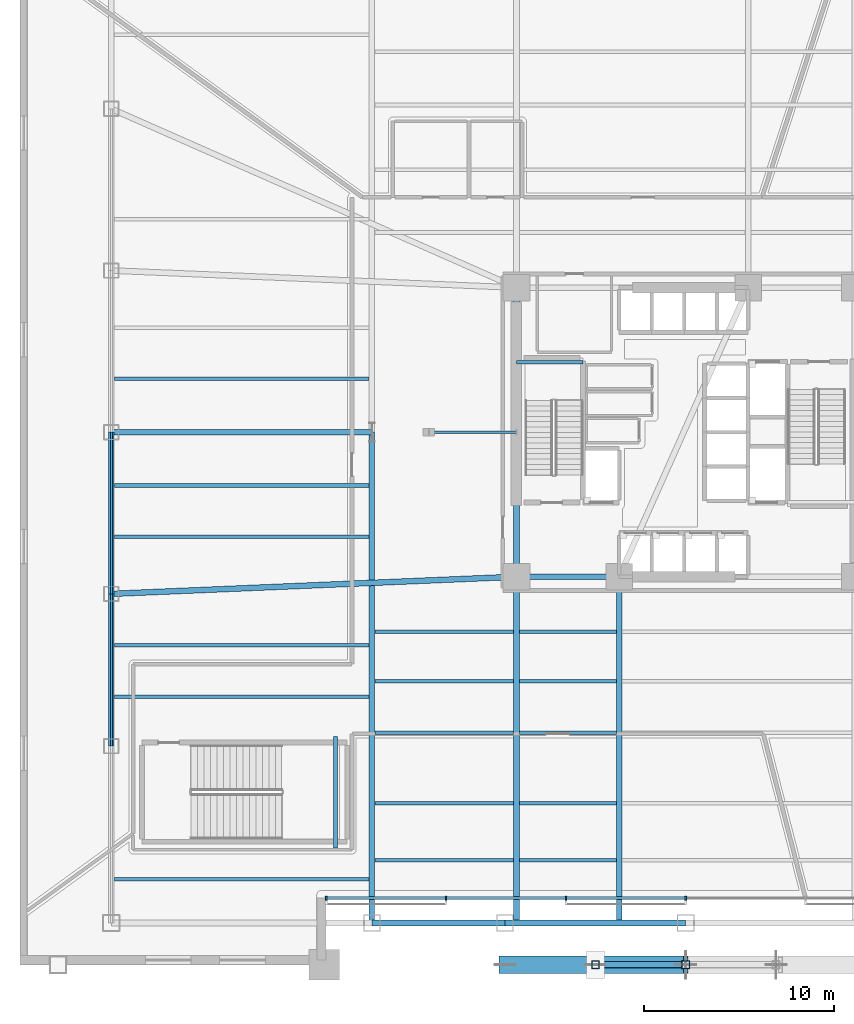
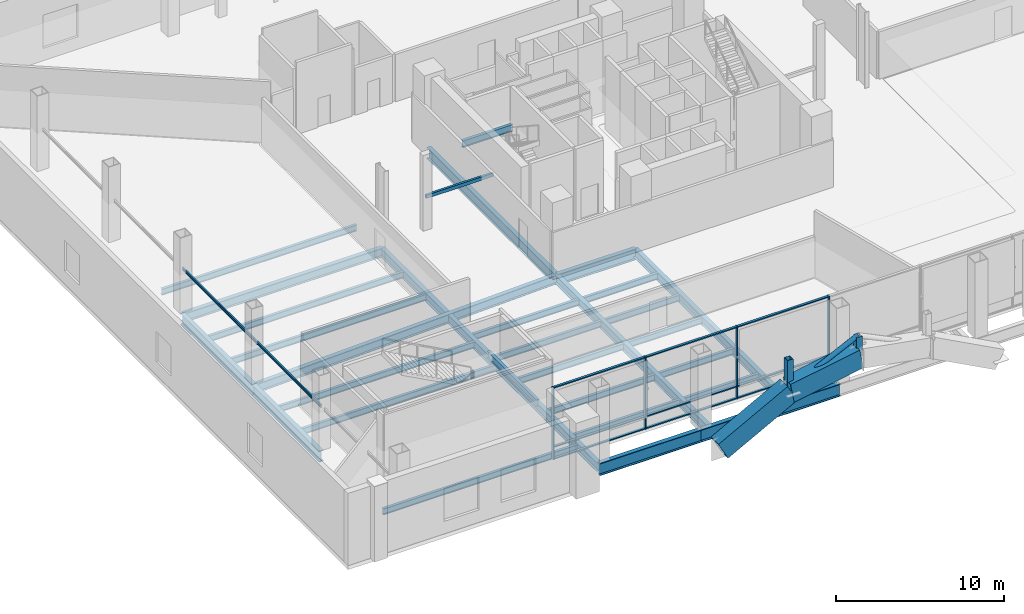
# One storey, part 3 of 19: 32 beams, 18 members, 1 element without a shape of its own.
"""IFC4 building model written with IfcOpenShell, lengths in metres."""

from ifc_helpers import new_model, si_unit, direction, frame, origin, origin_2d, place, context, subcontext, project, spatial, rectangle, hollow_rectangle, hollow_circle, i_section, extrude, material, layer, layer_set, material_profile, profile_set, type_object, element, aggregate, save


model = new_model("IFC4")

# Units and contexts
model_context = context("Model", 3, precision=1e-05, world=origin(), true_north=direction((0.0, 1.0)))
body_context = subcontext(model_context, "Body", "Model", "MODEL_VIEW")
ifc_project = project(units=[si_unit("LENGTHUNIT", "METRE"), si_unit("AREAUNIT", "SQUARE_METRE"), si_unit("VOLUMEUNIT", "CUBIC_METRE"), si_unit("PLANEANGLEUNIT", "RADIAN"), si_unit("MASSUNIT", "GRAM", prefix="KILO")], contexts=[model_context])

# Site, building, storey
site_placement = place(None, origin())
site = spatial("IfcSite", under=ifc_project, at=site_placement, CompositionType="ELEMENT")
building_placement = place(site_placement, origin())
building = spatial("IfcBuilding", under=site, at=building_placement, Name="Tharavind Bronze Gate", CompositionType="ELEMENT")
storey_placement = place(building_placement, frame((0.0, 0.0, 11.0)))
storey = spatial("IfcBuildingStorey", under=building, at=storey_placement, Name="L02", CompositionType="ELEMENT", Elevation=11.0)

# Beams
ifc_material_1 = material(Name="Steel S460", Category="steel")
ifc_material_profile_1 = material_profile(ifc_material_1, hollow_rectangle(XDim=0.89990234375, YDim=1.39990234375, WallThickness=0.054931640625, at=origin_2d()), Name="RHS1400X900X55")
ifc_profile_set_1 = profile_set([ifc_material_profile_1], Name="Steel S460")
beam_type_1 = type_object("IfcBeamType", Name="ARCH RIB GIRDER 1400X900", PredefinedType="USERDEFINED", material=ifc_profile_set_1)
beam_1_placement = place(storey_placement, frame((-9.5, -28.0, -0.33740234375), z_axis=(0.881797792408, 0.0, 0.471627663846), x_axis=(0.0, 1.0, 0.0)))
element("IfcBeam", 1, at=beam_1_placement, inside=storey, type_object=beam_type_1, Name="Monumental bronze arch rib chord 3", ObjectType="GIRDER", PredefinedType="USERDEFINED", context=body_context, shape_type="SweptSolid", body=[
    extrude(hollow_rectangle(XDim=0.89990234375, YDim=1.39990234375, WallThickness=0.054931640625, at=origin_2d()), origin(), (0.0, 0.0, 1.0), 5.38671875),
])
beam_2_placement = place(storey_placement, frame((-4.75, -28.0, 2.203125), z_axis=(0.984473825699, 0.0, 0.175531440242), x_axis=(0.0, 1.0, 0.0)))
element("IfcBeam", 2, at=beam_2_placement, inside=storey, type_object=beam_type_1, Name="Monumental bronze arch rib chord 4", ObjectType="GIRDER", PredefinedType="USERDEFINED", context=body_context, shape_type="SweptSolid", body=[
    extrude(hollow_rectangle(XDim=0.89990234375, YDim=1.39990234375, WallThickness=0.054931640625, at=origin_2d()), origin(), (0.0, 0.0, 1.0), 4.824951171875),
])

# Curtain wall, members
ifc_material_2 = material(Name="Anodised Bronze Aluminium", Category="aluminium")
ifc_layer = layer(ifc_material_2, 0.219970703125)
ifc_layer_set = layer_set([ifc_layer], Name="Anodised Bronze Aluminium")
curtain_wall_type = type_object("IfcCurtainWallType", Name="UNITISED CURTAIN WALL PODIUM", PredefinedType="USERDEFINED", material=ifc_layer_set)
curtain_wall_placement = place(storey_placement, origin())
curtain_wall = element("IfcCurtainWall", 3, at=curtain_wall_placement, inside=storey, type_object=curtain_wall_type, Name="L02 unitised curtain wall podium CW-L02-ARCH", ObjectType="UNITISED CURTAIN WALL", PredefinedType="USERDEFINED")
member_type_1 = type_object("IfcMemberType", Name="CURTAIN WALL MULLION 80X220", PredefinedType="MULLION", material=ifc_material_2)
member_1_placement = place(storey_placement, frame((-18.89990234375, -24.5, 0.0), z_axis=(0.0, 0.0, 1.0), x_axis=(1.0, 0.0, 0.0)))
member_1 = element("IfcMember", 4, at=member_1_placement, type_object=member_type_1, Name="CW-L02-ARCH mullion 1", PredefinedType="MULLION", context=body_context, shape_type="SweptSolid", body=[
    extrude(rectangle(XDim=0.080078125, YDim=0.219970703125, at=origin_2d()), origin(), (0.0, 0.0, 1.0), 5.239990234375),
])
member_2_placement = place(storey_placement, frame((-12.60009765625, -24.5, 0.0), z_axis=(0.0, 0.0, 1.0), x_axis=(1.0, 0.0, 0.0)))
member_2 = element("IfcMember", 5, at=member_2_placement, type_object=member_type_1, Name="CW-L02-ARCH mullion 2", PredefinedType="MULLION", context=body_context, shape_type="SweptSolid", body=[
    extrude(rectangle(XDim=0.080078125, YDim=0.219970703125, at=origin_2d()), origin(), (0.0, 0.0, 1.0), 5.239990234375),
])
member_3_placement = place(storey_placement, frame((-6.300048828125, -24.5, 0.0), z_axis=(0.0, 0.0, 1.0), x_axis=(1.0, 0.0, 0.0)))
member_3 = element("IfcMember", 6, at=member_3_placement, type_object=member_type_1, Name="CW-L02-ARCH mullion 3", PredefinedType="MULLION", context=body_context, shape_type="SweptSolid", body=[
    extrude(rectangle(XDim=0.080078125, YDim=0.219970703125, at=origin_2d()), origin(), (0.0, 0.0, 1.0), 5.239990234375),
])
member_4_placement = place(storey_placement, frame((0.0, -24.5, 0.0), z_axis=(0.0, 0.0, 1.0), x_axis=(1.0, 0.0, 0.0)))
member_4 = element("IfcMember", 7, at=member_4_placement, type_object=member_type_1, Name="CW-L02-ARCH mullion 4", PredefinedType="MULLION", context=body_context, shape_type="SweptSolid", body=[
    extrude(rectangle(XDim=0.080078125, YDim=0.219970703125, at=origin_2d()), origin(), (0.0, 0.0, 1.0), 5.239990234375),
])
member_type_2 = type_object("IfcMemberType", Name="CURTAIN WALL TRANSOM 80X160", PredefinedType="USERDEFINED", material=ifc_material_2)
member_5_placement = place(storey_placement, frame((-15.75, -24.5, 0.0), z_axis=(0.0, 0.0, 1.0), x_axis=(1.0, 0.0, 0.0)))
member_5 = element("IfcMember", 8, at=member_5_placement, type_object=member_type_2, Name="CW-L02-ARCH transom TB1", ObjectType="TRANSOM", PredefinedType="USERDEFINED", context=body_context, shape_type="SweptSolid", body=[
    extrude(rectangle(XDim=6.23193359375, YDim=0.159912109375, at=origin_2d()), origin(), (0.0, 0.0, 1.0), 0.080078125),
])
member_6_placement = place(storey_placement, frame((-15.75, -24.5, 0.85986328125), z_axis=(0.0, 0.0, 1.0), x_axis=(1.0, 0.0, 0.0)))
member_6 = element("IfcMember", 9, at=member_6_placement, type_object=member_type_2, Name="CW-L02-ARCH transom TS1", ObjectType="TRANSOM", PredefinedType="USERDEFINED", context=body_context, shape_type="SweptSolid", body=[
    extrude(rectangle(XDim=6.23193359375, YDim=0.159912109375, at=origin_2d()), origin(), (0.0, 0.0, 1.0), 0.080078125),
])
member_7_placement = place(storey_placement, frame((-15.75, -24.5, 5.159912109375), z_axis=(0.0, 0.0, 1.0), x_axis=(1.0, 0.0, 0.0)))
member_7 = element("IfcMember", 10, at=member_7_placement, type_object=member_type_2, Name="CW-L02-ARCH transom TT1", ObjectType="TRANSOM", PredefinedType="USERDEFINED", context=body_context, shape_type="SweptSolid", body=[
    extrude(rectangle(XDim=6.23193359375, YDim=0.159912109375, at=origin_2d()), origin(), (0.0, 0.0, 1.0), 0.080078125),
])
member_8_placement = place(storey_placement, frame((-9.449951171875, -24.5, 0.0), z_axis=(0.0, 0.0, 1.0), x_axis=(1.0, 0.0, 0.0)))
member_8 = element("IfcMember", 11, at=member_8_placement, type_object=member_type_2, Name="CW-L02-ARCH transom TB2", ObjectType="TRANSOM", PredefinedType="USERDEFINED", context=body_context, shape_type="SweptSolid", body=[
    extrude(rectangle(XDim=6.23193359375, YDim=0.159912109375, at=origin_2d()), origin(), (0.0, 0.0, 1.0), 0.080078125),
])
member_9_placement = place(storey_placement, frame((-9.449951171875, -24.5, 0.85986328125), z_axis=(0.0, 0.0, 1.0), x_axis=(1.0, 0.0, 0.0)))
member_9 = element("IfcMember", 12, at=member_9_placement, type_object=member_type_2, Name="CW-L02-ARCH transom TS2", ObjectType="TRANSOM", PredefinedType="USERDEFINED", context=body_context, shape_type="SweptSolid", body=[
    extrude(rectangle(XDim=6.23193359375, YDim=0.159912109375, at=origin_2d()), origin(), (0.0, 0.0, 1.0), 0.080078125),
])
member_10_placement = place(storey_placement, frame((-9.449951171875, -24.5, 5.159912109375), z_axis=(0.0, 0.0, 1.0), x_axis=(1.0, 0.0, 0.0)))
member_10 = element("IfcMember", 13, at=member_10_placement, type_object=member_type_2, Name="CW-L02-ARCH transom TT2", ObjectType="TRANSOM", PredefinedType="USERDEFINED", context=body_context, shape_type="SweptSolid", body=[
    extrude(rectangle(XDim=6.23193359375, YDim=0.159912109375, at=origin_2d()), origin(), (0.0, 0.0, 1.0), 0.080078125),
])
member_11_placement = place(storey_placement, frame((-3.14990234375, -24.5, 0.0), z_axis=(0.0, 0.0, 1.0), x_axis=(1.0, 0.0, 0.0)))
member_11 = element("IfcMember", 14, at=member_11_placement, type_object=member_type_2, Name="CW-L02-ARCH transom TB3", ObjectType="TRANSOM", PredefinedType="USERDEFINED", context=body_context, shape_type="SweptSolid", body=[
    extrude(rectangle(XDim=6.23193359375, YDim=0.159912109375, at=origin_2d()), origin(), (0.0, 0.0, 1.0), 0.080078125),
])
member_12_placement = place(storey_placement, frame((-3.14990234375, -24.5, 0.85986328125), z_axis=(0.0, 0.0, 1.0), x_axis=(1.0, 0.0, 0.0)))
member_12 = element("IfcMember", 15, at=member_12_placement, type_object=member_type_2, Name="CW-L02-ARCH transom TS3", ObjectType="TRANSOM", PredefinedType="USERDEFINED", context=body_context, shape_type="SweptSolid", body=[
    extrude(rectangle(XDim=6.23193359375, YDim=0.159912109375, at=origin_2d()), origin(), (0.0, 0.0, 1.0), 0.080078125),
])
member_13_placement = place(storey_placement, frame((-3.14990234375, -24.5, 5.159912109375), z_axis=(0.0, 0.0, 1.0), x_axis=(1.0, 0.0, 0.0)))
member_13 = element("IfcMember", 16, at=member_13_placement, type_object=member_type_2, Name="CW-L02-ARCH transom TT3", ObjectType="TRANSOM", PredefinedType="USERDEFINED", context=body_context, shape_type="SweptSolid", body=[
    extrude(rectangle(XDim=6.23193359375, YDim=0.159912109375, at=origin_2d()), origin(), (0.0, 0.0, 1.0), 0.080078125),
])
aggregate(curtain_wall, [member_1, member_2, member_3, member_4, member_5, member_6, member_7, member_8, member_9, member_10, member_11, member_12, member_13])

# Beam
ifc_material_3 = material(Name="Steel S355", Category="steel")
ifc_material_profile_2 = material_profile(ifc_material_3, hollow_rectangle(XDim=0.14990234375, YDim=0.25, WallThickness=0.011962890625, at=origin_2d()), Name="RHS250X150X12")
ifc_profile_set_2 = profile_set([ifc_material_profile_2], Name="Steel S355")
beam_type_2 = type_object("IfcBeamType", Name="OPENING LINTEL BEAM RHS250", PredefinedType="LINTEL", material=ifc_profile_set_2)
beam_3_placement = place(storey_placement, frame((-13.5, 0.0, 2.324951171875), z_axis=(1.0, 0.0, 0.0), x_axis=(0.0, 1.0, 0.0)))
element("IfcBeam", 17, at=beam_3_placement, inside=storey, type_object=beam_type_2, Name="L02 opening lintel beam rhs250 BM-L02-LNT1", PredefinedType="LINTEL", context=body_context, shape_type="SweptSolid", body=[
    extrude(hollow_rectangle(XDim=0.14990234375, YDim=0.25, WallThickness=0.011962890625, at=origin_2d()), origin(), (0.0, 0.0, 1.0), 4.60009765625),
])

# Members
ifc_material_profile_3 = material_profile(ifc_material_1, hollow_rectangle(XDim=0.39990234375, YDim=0.39990234375, WallThickness=0.02490234375, at=origin_2d()), Name="SHS400X25")
ifc_profile_set_3 = profile_set([ifc_material_profile_3], Name="Steel S460")
member_type_3 = type_object("IfcMemberType", Name="OUTRIGGER VERTICAL STRUT SHS400", PredefinedType="STRUT", material=ifc_profile_set_3)
member_14_placement = place(storey_placement, frame((-4.75, -28.0, 2.203125), z_axis=(0.0, 0.0, 1.0), x_axis=(1.0, 0.0, 0.0)))
element("IfcMember", 18, at=member_14_placement, inside=storey, type_object=member_type_3, Name="Monumental arch spandrel vertical strut 3", PredefinedType="STRUT", context=body_context, shape_type="SweptSolid", body=[
    extrude(hollow_rectangle(XDim=0.39990234375, YDim=0.39990234375, WallThickness=0.02490234375, at=origin_2d()), origin(), (0.0, 0.0, 1.0), 2.286865234375),
])
member_15_placement = place(storey_placement, frame((0.0, -28.0, 3.050048828125), z_axis=(0.0, 0.0, 1.0), x_axis=(1.0, 0.0, 0.0)))
element("IfcMember", 19, at=member_15_placement, inside=storey, type_object=member_type_3, Name="Monumental arch spandrel vertical strut 4", PredefinedType="STRUT", context=body_context, shape_type="SweptSolid", body=[
    extrude(hollow_rectangle(XDim=0.39990234375, YDim=0.39990234375, WallThickness=0.02490234375, at=origin_2d()), origin(), (0.0, 0.0, 1.0), 1.43994140625),
])
ifc_material_profile_4 = material_profile(ifc_material_1, hollow_circle(Radius=0.161865234375, WallThickness=0.01611328125, at=origin_2d()), Name="CHS323X16")
ifc_profile_set_4 = profile_set([ifc_material_profile_4], Name="Steel S460")
member_type_4 = type_object("IfcMemberType", Name="PODIUM ARCH BRACE CHS323", PredefinedType="BRACE", material=ifc_profile_set_4)
member_16_placement = place(storey_placement, frame((-4.75, -28.0, 2.203125), z_axis=(0.901014407299, 0.0, 0.433789162889), x_axis=(0.0, 1.0, 0.0)))
element("IfcMember", 20, at=member_16_placement, inside=storey, type_object=member_type_4, Name="Monumental arch spandrel truss diagonal 4", PredefinedType="BRACE", context=body_context, shape_type="SweptSolid", body=[
    extrude(hollow_circle(Radius=0.161865234375, WallThickness=0.01611328125, at=origin_2d()), origin(), (0.0, 0.0, 1.0), 5.271728515625),
])

# Beams
ifc_material_profile_5 = material_profile(ifc_material_3, i_section(OverallWidth=0.300048828125, OverallDepth=0.64990234375, WebThickness=0.01611328125, FlangeThickness=0.031005859375, at=origin_2d()), Name="HE650B")
ifc_profile_set_5 = profile_set([ifc_material_profile_5], Name="Steel S355")
beam_type_3 = type_object("IfcBeamType", Name="PRIMARY GIRDER HE650B", PredefinedType="USERDEFINED", material=ifc_profile_set_5)
beam_4_placement = place(storey_placement, frame((-16.5, -25.800048828125, -0.60498046875), z_axis=(0.0, 1.0, 0.0), x_axis=(-1.0, 0.0, 0.0)))
element("IfcBeam", 21, at=beam_4_placement, inside=storey, type_object=beam_type_3, Name="L02 primary girder he650b BM-L02-GS1S", ObjectType="GIRDER", PredefinedType="USERDEFINED", context=body_context, shape_type="SweptSolid", body=[
    extrude(i_section(OverallWidth=0.300048828125, OverallDepth=0.64990234375, WebThickness=0.01611328125, FlangeThickness=0.031005859375, at=origin_2d()), origin(), (0.0, 0.0, 1.0), 25.800048828125),
])
for number, where, z_axis, x_axis, name in (
    (22, (-8.89990234375, -25.800048828125, -0.60498046875), (0.0, 1.0, 0.0), (-1.0, 0.0, 0.0), "L02 primary girder he650b BM-L02-GS2"),
    (23, (-3.5, -25.800048828125, -0.60498046875), (0.0, 1.0, 0.0), (-1.0, 0.0, 0.0), "L02 primary girder he650b BM-L02-GS3"),
):
    element("IfcBeam", number, at=place(storey_placement, frame(where, z_axis=z_axis, x_axis=x_axis)), inside=storey, type_object=beam_type_3, Name=name, ObjectType="GIRDER", PredefinedType="USERDEFINED", context=body_context, shape_type="SweptSolid", body=[
        extrude(i_section(OverallWidth=0.300048828125, OverallDepth=0.64990234375, WebThickness=0.01611328125, FlangeThickness=0.031005859375, at=origin_2d()), origin(), (0.0, 0.0, 1.0), 18.199951171875),
    ])
beam_5_placement = place(storey_placement, frame((-30.199951171875, -8.5, -0.60498046875), z_axis=(0.999108710794, 0.04221118354, 0.0), x_axis=(-0.04221118354, 0.999108710794, 0.0)))
element("IfcBeam", 24, at=beam_5_placement, inside=storey, type_object=beam_type_3, Name="L02 primary girder he650b BM-L02-GW1", ObjectType="GIRDER", PredefinedType="USERDEFINED", context=body_context, shape_type="SweptSolid", body=[
    extrude(i_section(OverallWidth=0.300048828125, OverallDepth=0.64990234375, WebThickness=0.01611328125, FlangeThickness=0.031005859375, at=origin_2d()), origin(), (0.0, 0.0, 1.0), 21.319091796875),
])
beam_6_placement = place(storey_placement, frame((-30.199951171875, 0.0, -0.60498046875), z_axis=(1.0, 0.0, 0.0), x_axis=(0.0, 1.0, 0.0)))
element("IfcBeam", 25, at=beam_6_placement, inside=storey, type_object=beam_type_3, Name="L02 primary girder he650b BM-L02-GW3", ObjectType="GIRDER", PredefinedType="USERDEFINED", context=body_context, shape_type="SweptSolid", body=[
    extrude(i_section(OverallWidth=0.300048828125, OverallDepth=0.64990234375, WebThickness=0.01611328125, FlangeThickness=0.031005859375, at=origin_2d()), origin(), (0.0, 0.0, 1.0), 13.699951171875),
])
ifc_material_profile_6 = material_profile(ifc_material_3, i_section(OverallWidth=0.199951171875, OverallDepth=0.5, WebThickness=0.01025390625, FlangeThickness=0.01611328125, at=origin_2d()), Name="IPE500")
ifc_profile_set_6 = profile_set([ifc_material_profile_6], Name="Steel S355")
beam_type_4 = type_object("IfcBeamType", Name="PRIMARY GIRDER IPE500", PredefinedType="USERDEFINED", material=ifc_profile_set_6)
beam_7_placement = place(storey_placement, frame((-8.89990234375, 3.679931640625, 2.300048828125), z_axis=(1.0, 0.0, 0.0), x_axis=(0.0, 1.0, 0.0)))
element("IfcBeam", 26, at=beam_7_placement, inside=storey, type_object=beam_type_4, Name="L02 primary girder ipe500 BM-LD-ST1-L02-1", ObjectType="GIRDER", PredefinedType="USERDEFINED", context=body_context, shape_type="SweptSolid", body=[
    extrude(i_section(OverallWidth=0.199951171875, OverallDepth=0.5, WebThickness=0.01025390625, FlangeThickness=0.01611328125, at=origin_2d()), origin(), (0.0, 0.0, 1.0), 3.5),
])
beam_8_placement = place(storey_placement, frame((-18.419921875, -21.85009765625, 2.300048828125), z_axis=(0.0, 1.0, 0.0), x_axis=(-1.0, 0.0, 0.0)))
element("IfcBeam", 27, at=beam_8_placement, inside=storey, type_object=beam_type_4, Name="L02 primary girder ipe500 BM-LD-ST3-L02-1", ObjectType="GIRDER", PredefinedType="USERDEFINED", context=body_context, shape_type="SweptSolid", body=[
    extrude(i_section(OverallWidth=0.199951171875, OverallDepth=0.5, WebThickness=0.01025390625, FlangeThickness=0.01611328125, at=origin_2d()), origin(), (0.0, 0.0, 1.0), 5.85009765625),
])
ifc_material_profile_7 = material_profile(ifc_material_3, i_section(OverallWidth=0.300048828125, OverallDepth=0.800048828125, WebThickness=0.017578125, FlangeThickness=0.032958984375, at=origin_2d()), Name="HE800B")
ifc_profile_set_7 = profile_set([ifc_material_profile_7], Name="Steel S355")
beam_type_5 = type_object("IfcBeamType", Name="RING GIRDER HE800B", PredefinedType="USERDEFINED", material=ifc_profile_set_7)
beam_9_placement = place(storey_placement, frame((-8.89990234375, -7.60009765625, -0.679931640625), z_axis=(1.0, 0.0, 0.0), x_axis=(0.0, 1.0, 0.0)))
element("IfcBeam", 28, at=beam_9_placement, inside=storey, type_object=beam_type_5, Name="L02 ring girder he800b BM-L02-CR1", ObjectType="GIRDER", PredefinedType="USERDEFINED", context=body_context, shape_type="SweptSolid", body=[
    extrude(i_section(OverallWidth=0.300048828125, OverallDepth=0.800048828125, WebThickness=0.017578125, FlangeThickness=0.032958984375, at=origin_2d()), origin(), (0.0, 0.0, 1.0), 5.39990234375),
])
beam_10_placement = place(storey_placement, frame((-8.89990234375, 7.60009765625, -0.679931640625), z_axis=(0.0, -1.0, 0.0), x_axis=(1.0, 0.0, 0.0)))
element("IfcBeam", 29, at=beam_10_placement, inside=storey, type_object=beam_type_5, Name="L02 ring girder he800b BM-L02-CR6", ObjectType="GIRDER", PredefinedType="USERDEFINED", context=body_context, shape_type="SweptSolid", body=[
    extrude(i_section(OverallWidth=0.300048828125, OverallDepth=0.800048828125, WebThickness=0.017578125, FlangeThickness=0.032958984375, at=origin_2d()), origin(), (0.0, 0.0, 1.0), 15.2001953125),
])
beam_11_placement = place(storey_placement, frame((-30.199951171875, -16.5, -0.679931640625), z_axis=(0.0, 1.0, 0.0), x_axis=(-1.0, 0.0, 0.0)))
element("IfcBeam", 30, at=beam_11_placement, inside=storey, type_object=beam_type_5, Name="L02 ring girder he800b BM-L02-PW2", ObjectType="GIRDER", PredefinedType="USERDEFINED", context=body_context, shape_type="SweptSolid", body=[
    extrude(i_section(OverallWidth=0.300048828125, OverallDepth=0.800048828125, WebThickness=0.017578125, FlangeThickness=0.032958984375, at=origin_2d()), origin(), (0.0, 0.0, 1.0), 8.0),
])
beam_12_placement = place(storey_placement, frame((-30.199951171875, -8.5, -0.679931640625), z_axis=(0.0, 1.0, 0.0), x_axis=(-1.0, 0.0, 0.0)))
element("IfcBeam", 31, at=beam_12_placement, inside=storey, type_object=beam_type_5, Name="L02 ring girder he800b BM-L02-PW3", ObjectType="GIRDER", PredefinedType="USERDEFINED", context=body_context, shape_type="SweptSolid", body=[
    extrude(i_section(OverallWidth=0.300048828125, OverallDepth=0.800048828125, WebThickness=0.017578125, FlangeThickness=0.032958984375, at=origin_2d()), origin(), (0.0, 0.0, 1.0), 8.5),
])
ifc_material_profile_8 = material_profile(ifc_material_3, i_section(OverallWidth=0.18994140625, OverallDepth=0.449951171875, WebThickness=0.009521484375, FlangeThickness=0.0146484375, at=origin_2d()), Name="IPE450")
ifc_profile_set_8 = profile_set([ifc_material_profile_8], Name="Steel S355")
beam_type_6 = type_object("IfcBeamType", Name="SECONDARY FLOOR JOIST IPE450", PredefinedType="JOIST", material=ifc_profile_set_8)
beam_13_placement = place(storey_placement, frame((-8.748046875, -22.5, -0.5048828125), z_axis=(1.0, 0.0, 0.0), x_axis=(0.0, 1.0, 0.0)))
element("IfcBeam", 32, at=beam_13_placement, inside=storey, type_object=beam_type_6, Name="L02 secondary floor joist ipe450 BM-L02-JSS1A", PredefinedType="JOIST", context=body_context, shape_type="SweptSolid", body=[
    extrude(i_section(OverallWidth=0.18994140625, OverallDepth=0.449951171875, WebThickness=0.009521484375, FlangeThickness=0.0146484375, at=origin_2d()), origin(), (0.0, 0.0, 1.0), 5.095947265625),
])
beam_14_placement = place(storey_placement, frame((-16.347900390625, -22.5, -0.5048828125), z_axis=(1.0, 0.0, 0.0), x_axis=(0.0, 1.0, 0.0)))
element("IfcBeam", 33, at=beam_14_placement, inside=storey, type_object=beam_type_6, Name="L02 secondary floor joist ipe450 BM-L02-JSS1W", PredefinedType="JOIST", context=body_context, shape_type="SweptSolid", body=[
    extrude(i_section(OverallWidth=0.18994140625, OverallDepth=0.449951171875, WebThickness=0.009521484375, FlangeThickness=0.0146484375, at=origin_2d()), origin(), (0.0, 0.0, 1.0), 7.2958984375),
])
beam_15_placement = place(storey_placement, frame((-8.748046875, -19.5, -0.5048828125), z_axis=(1.0, 0.0, 0.0), x_axis=(0.0, 1.0, 0.0)))
element("IfcBeam", 34, at=beam_15_placement, inside=storey, type_object=beam_type_6, Name="L02 secondary floor joist ipe450 BM-L02-JSS2A", PredefinedType="JOIST", context=body_context, shape_type="SweptSolid", body=[
    extrude(i_section(OverallWidth=0.18994140625, OverallDepth=0.449951171875, WebThickness=0.009521484375, FlangeThickness=0.0146484375, at=origin_2d()), origin(), (0.0, 0.0, 1.0), 5.095947265625),
])
beam_16_placement = place(storey_placement, frame((-16.347900390625, -19.5, -0.5048828125), z_axis=(1.0, 0.0, 0.0), x_axis=(0.0, 1.0, 0.0)))
element("IfcBeam", 35, at=beam_16_placement, inside=storey, type_object=beam_type_6, Name="L02 secondary floor joist ipe450 BM-L02-JSS2W", PredefinedType="JOIST", context=body_context, shape_type="SweptSolid", body=[
    extrude(i_section(OverallWidth=0.18994140625, OverallDepth=0.449951171875, WebThickness=0.009521484375, FlangeThickness=0.0146484375, at=origin_2d()), origin(), (0.0, 0.0, 1.0), 7.2958984375),
])
beam_17_placement = place(storey_placement, frame((-8.748046875, -15.800048828125, -0.5048828125), z_axis=(1.0, 0.0, 0.0), x_axis=(0.0, 1.0, 0.0)))
element("IfcBeam", 36, at=beam_17_placement, inside=storey, type_object=beam_type_6, Name="L02 secondary floor joist ipe450 BM-L02-JSS3A", PredefinedType="JOIST", context=body_context, shape_type="SweptSolid", body=[
    extrude(i_section(OverallWidth=0.18994140625, OverallDepth=0.449951171875, WebThickness=0.009521484375, FlangeThickness=0.0146484375, at=origin_2d()), origin(), (0.0, 0.0, 1.0), 5.095947265625),
])
beam_18_placement = place(storey_placement, frame((-16.347900390625, -15.800048828125, -0.5048828125), z_axis=(1.0, 0.0, 0.0), x_axis=(0.0, 1.0, 0.0)))
element("IfcBeam", 37, at=beam_18_placement, inside=storey, type_object=beam_type_6, Name="L02 secondary floor joist ipe450 BM-L02-JSS3W", PredefinedType="JOIST", context=body_context, shape_type="SweptSolid", body=[
    extrude(i_section(OverallWidth=0.18994140625, OverallDepth=0.449951171875, WebThickness=0.009521484375, FlangeThickness=0.0146484375, at=origin_2d()), origin(), (0.0, 0.0, 1.0), 7.2958984375),
])
beam_19_placement = place(storey_placement, frame((-8.748046875, -13.10009765625, -0.5048828125), z_axis=(1.0, 0.0, 0.0), x_axis=(0.0, 1.0, 0.0)))
element("IfcBeam", 38, at=beam_19_placement, inside=storey, type_object=beam_type_6, Name="L02 secondary floor joist ipe450 BM-L02-JSS4A", PredefinedType="JOIST", context=body_context, shape_type="SweptSolid", body=[
    extrude(i_section(OverallWidth=0.18994140625, OverallDepth=0.449951171875, WebThickness=0.009521484375, FlangeThickness=0.0146484375, at=origin_2d()), origin(), (0.0, 0.0, 1.0), 5.095947265625),
])
beam_20_placement = place(storey_placement, frame((-16.347900390625, -13.10009765625, -0.5048828125), z_axis=(1.0, 0.0, 0.0), x_axis=(0.0, 1.0, 0.0)))
element("IfcBeam", 39, at=beam_20_placement, inside=storey, type_object=beam_type_6, Name="L02 secondary floor joist ipe450 BM-L02-JSS4W", PredefinedType="JOIST", context=body_context, shape_type="SweptSolid", body=[
    extrude(i_section(OverallWidth=0.18994140625, OverallDepth=0.449951171875, WebThickness=0.009521484375, FlangeThickness=0.0146484375, at=origin_2d()), origin(), (0.0, 0.0, 1.0), 7.2958984375),
])
beam_21_placement = place(storey_placement, frame((-8.748046875, -10.5, -0.5048828125), z_axis=(1.0, 0.0, 0.0), x_axis=(0.0, 1.0, 0.0)))
element("IfcBeam", 40, at=beam_21_placement, inside=storey, type_object=beam_type_6, Name="L02 secondary floor joist ipe450 BM-L02-JSS5A", PredefinedType="JOIST", context=body_context, shape_type="SweptSolid", body=[
    extrude(i_section(OverallWidth=0.18994140625, OverallDepth=0.449951171875, WebThickness=0.009521484375, FlangeThickness=0.0146484375, at=origin_2d()), origin(), (0.0, 0.0, 1.0), 5.095947265625),
])
beam_22_placement = place(storey_placement, frame((-16.347900390625, -10.5, -0.5048828125), z_axis=(1.0, 0.0, 0.0), x_axis=(0.0, 1.0, 0.0)))
element("IfcBeam", 41, at=beam_22_placement, inside=storey, type_object=beam_type_6, Name="L02 secondary floor joist ipe450 BM-L02-JSS5W", PredefinedType="JOIST", context=body_context, shape_type="SweptSolid", body=[
    extrude(i_section(OverallWidth=0.18994140625, OverallDepth=0.449951171875, WebThickness=0.009521484375, FlangeThickness=0.0146484375, at=origin_2d()), origin(), (0.0, 0.0, 1.0), 7.2958984375),
])
for number, where, z_axis, x_axis, name in (
    (42, (-30.0400390625, -23.5, -0.5048828125), (1.0, 0.0, 0.0), (0.0, 1.0, 0.0), "L02 secondary floor joist ipe450 BM-L02-JSWW1"),
    (43, (-30.0400390625, -13.89990234375, -0.5048828125), (1.0, 0.0, 0.0), (0.0, 1.0, 0.0), "L02 secondary floor joist ipe450 BM-L02-JSWW2"),
    (44, (-30.0400390625, -11.199951171875, -0.5048828125), (1.0, 0.0, 0.0), (0.0, 1.0, 0.0), "L02 secondary floor joist ipe450 BM-L02-JSWW3"),
    (45, (-30.0400390625, -5.5, -0.5048828125), (1.0, 0.0, 0.0), (0.0, 1.0, 0.0), "L02 secondary floor joist ipe450 BM-L02-JSWW4"),
    (46, (-30.0400390625, -2.800048828125, -0.5048828125), (1.0, 0.0, 0.0), (0.0, 1.0, 0.0), "L02 secondary floor joist ipe450 BM-L02-JSWW5"),
    (47, (-30.0400390625, 2.800048828125, -0.5048828125), (1.0, 0.0, 0.0), (0.0, 1.0, 0.0), "L02 secondary floor joist ipe450 BM-L02-JSWW6"),
):
    element("IfcBeam", number, at=place(storey_placement, frame(where, z_axis=z_axis, x_axis=x_axis)), inside=storey, type_object=beam_type_6, Name=name, PredefinedType="JOIST", context=body_context, shape_type="SweptSolid", body=[
        extrude(i_section(OverallWidth=0.18994140625, OverallDepth=0.449951171875, WebThickness=0.009521484375, FlangeThickness=0.0146484375, at=origin_2d()), origin(), (0.0, 0.0, 1.0), 13.387939453125),
    ])

# Members
ifc_material_profile_9 = material_profile(ifc_material_2, i_section(OverallWidth=0.10009765625, OverallDepth=0.199951171875, WebThickness=0.005615234375, FlangeThickness=0.008544921875, at=origin_2d()), Name="IPE200")
ifc_profile_set_9 = profile_set([ifc_material_profile_9], Name="Anodised Bronze Aluminium")
member_type_5 = type_object("IfcMemberType", Name="SOLAR LOUVRE BLADE", PredefinedType="USERDEFINED", material=ifc_profile_set_9)
member_17_placement = place(storey_placement, frame((-30.199951171875, -16.5, 2.949951171875), z_axis=(0.0, 1.0, 0.0), x_axis=(-1.0, 0.0, 0.0)))
element("IfcMember", 48, at=member_17_placement, inside=storey, type_object=member_type_5, Name="L02 west gallery solar louvre 2", ObjectType="SOLAR LOUVRE", PredefinedType="USERDEFINED", context=body_context, shape_type="SweptSolid", body=[
    extrude(i_section(OverallWidth=0.10009765625, OverallDepth=0.199951171875, WebThickness=0.005615234375, FlangeThickness=0.008544921875, at=origin_2d()), origin(), (0.0, 0.0, 1.0), 8.0),
])
member_18_placement = place(storey_placement, frame((-30.199951171875, -8.5, 2.949951171875), z_axis=(0.0, 1.0, 0.0), x_axis=(-1.0, 0.0, 0.0)))
element("IfcMember", 49, at=member_18_placement, inside=storey, type_object=member_type_5, Name="L02 west gallery solar louvre 3", ObjectType="SOLAR LOUVRE", PredefinedType="USERDEFINED", context=body_context, shape_type="SweptSolid", body=[
    extrude(i_section(OverallWidth=0.10009765625, OverallDepth=0.199951171875, WebThickness=0.005615234375, FlangeThickness=0.008544921875, at=origin_2d()), origin(), (0.0, 0.0, 1.0), 8.5),
])

# Beams
ifc_material_profile_10 = material_profile(ifc_material_3, i_section(OverallWidth=0.300048828125, OverallDepth=0.89990234375, WebThickness=0.0185546875, FlangeThickness=0.034912109375, at=origin_2d()), Name="HE900B")
ifc_profile_set_10 = profile_set([ifc_material_profile_10], Name="Steel S355")
beam_type_7 = type_object("IfcBeamType", Name="SPANDREL RING BEAM HE900B", PredefinedType="SPANDREL", material=ifc_profile_set_10)
beam_23_placement = place(storey_placement, frame((-16.5, -25.800048828125, -0.72998046875), z_axis=(1.0, 0.0, 0.0), x_axis=(0.0, 1.0, 0.0)))
element("IfcBeam", 50, at=beam_23_placement, inside=storey, type_object=beam_type_7, Name="L02 spandrel ring beam he900b BM-L02-PS2", PredefinedType="SPANDREL", context=body_context, shape_type="SweptSolid", body=[
    extrude(i_section(OverallWidth=0.300048828125, OverallDepth=0.89990234375, WebThickness=0.0185546875, FlangeThickness=0.034912109375, at=origin_2d()), origin(), (0.0, 0.0, 1.0), 7.0),
])
beam_24_placement = place(storey_placement, frame((-9.5, -25.800048828125, -0.72998046875), z_axis=(1.0, 0.0, 0.0), x_axis=(0.0, 1.0, 0.0)))
element("IfcBeam", 51, at=beam_24_placement, inside=storey, type_object=beam_type_7, Name="L02 spandrel ring beam he900b BM-L02-PS3", PredefinedType="SPANDREL", context=body_context, shape_type="SweptSolid", body=[
    extrude(i_section(OverallWidth=0.300048828125, OverallDepth=0.89990234375, WebThickness=0.0185546875, FlangeThickness=0.034912109375, at=origin_2d()), origin(), (0.0, 0.0, 1.0), 9.5),
])

save(model, "model.ifc")
